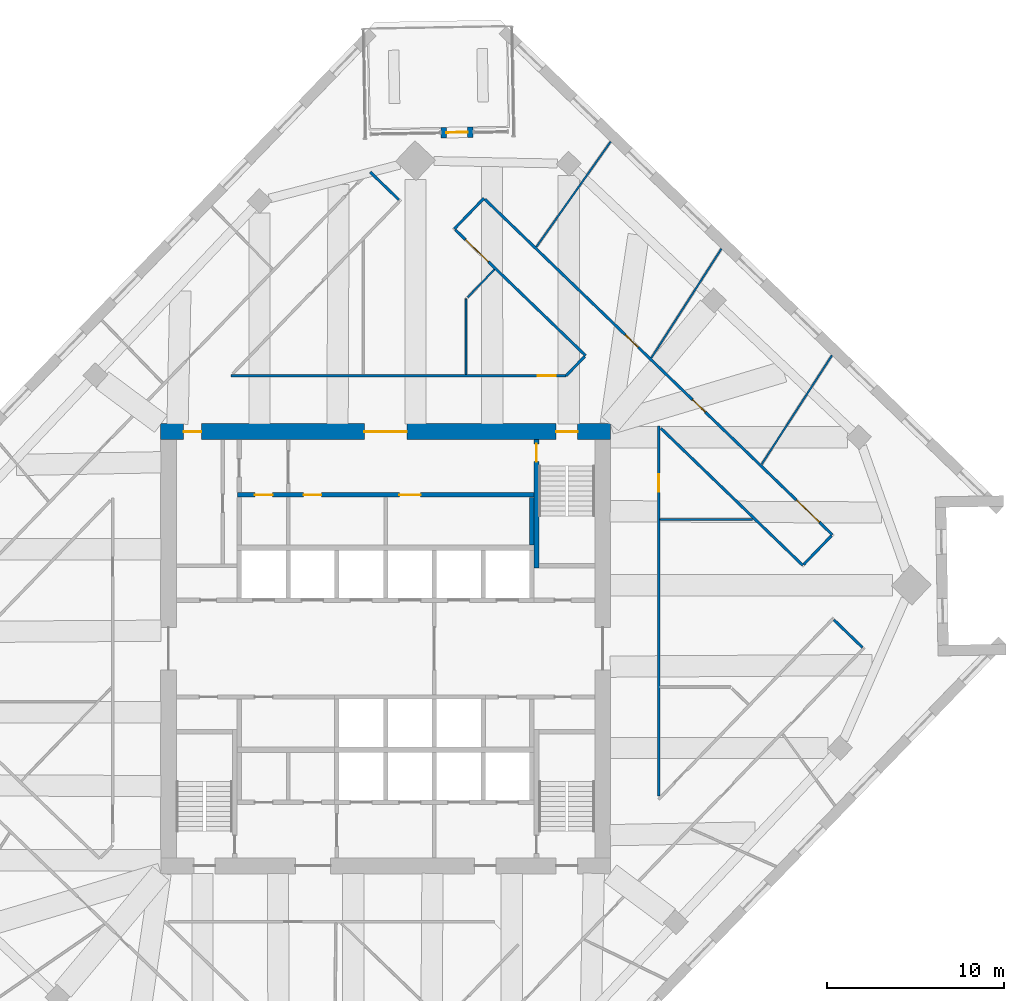
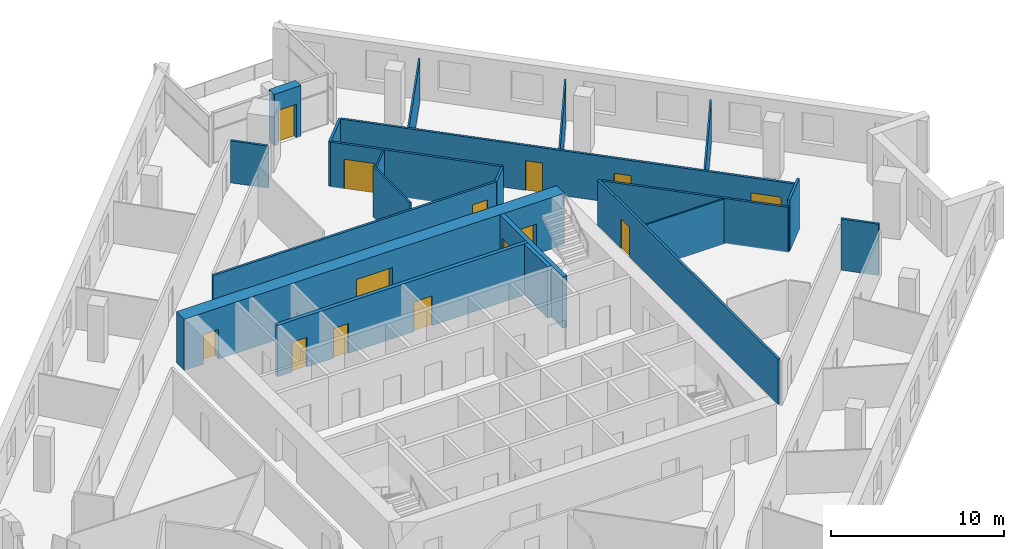
# One storey, part 10 of 13: 21 walls, 14 doors, 14 openings.
"""IFC4 building model written with IfcOpenShell, lengths in metres."""

from ifc_helpers import new_model, si_unit, direction, frame, frame_2d, origin, place, context, subcontext, project, spatial, rectangle, extrude, material, layer, layer_set, type_object, element, fill, save


model = new_model("IFC4")

# Units and contexts
model_context = context("Model", 3, precision=1e-05, world=origin(), true_north=direction((0.0, 1.0)))
body_context = subcontext(model_context, "Body", "Model", "MODEL_VIEW")
ifc_project = project(units=[si_unit("LENGTHUNIT", "METRE"), si_unit("AREAUNIT", "SQUARE_METRE"), si_unit("VOLUMEUNIT", "CUBIC_METRE"), si_unit("PLANEANGLEUNIT", "RADIAN"), si_unit("MASSUNIT", "GRAM", prefix="KILO")], contexts=[model_context])

# Site, building, storey
site_placement = place(None, origin())
site = spatial("IfcSite", under=ifc_project, at=site_placement, CompositionType="ELEMENT")
building_placement = place(site_placement, origin())
building = spatial("IfcBuilding", under=site, at=building_placement, Name="Dilmun Exchange Tower", CompositionType="ELEMENT")
storey_placement = place(building_placement, frame((0.0, 0.0, 209.300048828125)))
storey = spatial("IfcBuildingStorey", under=building, at=storey_placement, Name="L49", CompositionType="ELEMENT", Elevation=209.300048828125)

# Wall
ifc_material_1 = material(Name="Concrete C40/50", Category="concrete")
ifc_layer_1 = layer(ifc_material_1, 0.25)
ifc_layer_set_1 = layer_set([ifc_layer_1], Name="Concrete C40/50")
wall_type_1 = type_object("IfcWallType", Name="Core partition wall 250", PredefinedType="PARTITIONING", material=ifc_layer_set_1)
wall_1_placement = place(storey_placement, frame((8.25, 5.85498046875, 0.0), z_axis=(0.0, 0.0, 1.0), x_axis=(0.0, 1.0, 0.0)))
element("IfcWall", 1, at=wall_1_placement, inside=storey, type_object=wall_type_1, Name="L49 core partition wall 19", PredefinedType="PARTITIONING", context=body_context, shape_type="SweptSolid", body=[
    extrude(rectangle(XDim=2.68994140625, YDim=0.25, at=frame_2d((1.344970703125, 0.0))), origin(), (0.0, 0.0, 1.0), 3.619873046875),
])

# Wall, openings, doors
wall_2_placement = place(storey_placement, frame((-8.35009765625, 8.675048828125, 0.0), z_axis=(0.0, 0.0, 1.0), x_axis=(1.0, 0.0, 0.0)))
wall_2 = element("IfcWall", 2, at=wall_2_placement, inside=storey, type_object=wall_type_1, Name="L49 core partition wall 20", PredefinedType="PARTITIONING", context=body_context, shape_type="SweptSolid", body=[
    extrude(rectangle(XDim=16.72021484375, YDim=0.25, at=frame_2d((8.360107421875, 0.0))), origin(), (0.0, 0.0, 1.0), 3.619873046875),
])
opening_1_placement = place(wall_2_placement, frame((0.97509765625, 0.0, 0.0)))
opening_1 = element("IfcOpeningElement", 3, at=opening_1_placement, cuts=wall_2, Name="Opening CD4", PredefinedType="OPENING", context=body_context, shape_type="SweptSolid", body=[
    extrude(rectangle(XDim=1.0, YDim=2.10009765625, at=frame_2d((0.5, 1.050048828125))), frame((0.0, 0.135009765625, 0.0), z_axis=(0.0, -1.0, 0.0), x_axis=(1.0, 0.0, 0.0)), (0.0, 0.0, 1.0), 0.27001953125),
])
opening_2_placement = place(wall_2_placement, frame((3.72509765625, 0.0, 0.0)))
opening_2 = element("IfcOpeningElement", 4, at=opening_2_placement, cuts=wall_2, Name="Opening CD4", PredefinedType="OPENING", context=body_context, shape_type="SweptSolid", body=[
    extrude(rectangle(XDim=1.0, YDim=2.10009765625, at=frame_2d((0.5, 1.050048828125))), frame((0.0, 0.135009765625, 0.0), z_axis=(0.0, -1.0, 0.0), x_axis=(1.0, 0.0, 0.0)), (0.0, 0.0, 1.0), 0.27001953125),
])
opening_3_placement = place(wall_2_placement, frame((9.125, 0.0, 0.0)))
opening_3 = element("IfcOpeningElement", 5, at=opening_3_placement, cuts=wall_2, Name="Opening CD3", PredefinedType="OPENING", context=body_context, shape_type="SweptSolid", body=[
    extrude(rectangle(XDim=1.199951171875, YDim=2.10009765625, at=frame_2d((0.60009765625, 1.050048828125))), frame((0.0, 0.135009765625, 0.0), z_axis=(0.0, -1.0, 0.0), x_axis=(1.0, 0.0, 0.0)), (0.0, 0.0, 1.0), 0.27001953125),
])
ifc_material_2 = material(Name="Fire-rated steel door set", Category="steel")
door_type_1 = type_object("IfcDoorType", Name="Core room door 1000x2100", OperationType="SINGLE_SWING_LEFT", PredefinedType="DOOR", material=ifc_material_2)
door_1_placement = place(opening_1_placement, origin())
door_1 = element("IfcDoor", 6, at=door_1_placement, inside=storey, type_object=door_type_1, Name="L49 door Tenant store", OperationType="SINGLE_SWING_RIGHT", OverallHeight=2.10009765625, OverallWidth=1.0, PredefinedType="DOOR", context=body_context, shape_type="SweptSolid", body=[
    extrude(rectangle(XDim=1.0, YDim=2.10009765625, at=frame_2d((0.5, 1.050048828125))), frame((0.0, 0.02490234375, 0.0), z_axis=(0.0, -1.0, 0.0), x_axis=(1.0, 0.0, 0.0)), (0.0, 0.0, 1.0), 0.050048828125),
])
fill(opening_1, door_1)
door_2_placement = place(opening_2_placement, origin())
door_2 = element("IfcDoor", 7, at=door_2_placement, inside=storey, type_object=door_type_1, Name="L49 door Archive store", OperationType="SINGLE_SWING_RIGHT", OverallHeight=2.10009765625, OverallWidth=1.0, PredefinedType="DOOR", context=body_context, shape_type="SweptSolid", body=[
    extrude(rectangle(XDim=1.0, YDim=2.10009765625, at=frame_2d((0.5, 1.050048828125))), frame((0.0, 0.02490234375, 0.0), z_axis=(0.0, -1.0, 0.0), x_axis=(1.0, 0.0, 0.0)), (0.0, 0.0, 1.0), 0.050048828125),
])
fill(opening_2, door_2)
door_type_2 = type_object("IfcDoorType", Name="Stair exit door 1200x2100", OperationType="SINGLE_SWING_LEFT", PredefinedType="DOOR", material=ifc_material_2)
door_3_placement = place(opening_3_placement, origin())
door_3 = element("IfcDoor", 8, at=door_3_placement, inside=storey, type_object=door_type_2, Name="L49 door Facilities workshop", OperationType="SINGLE_SWING_LEFT", OverallHeight=2.10009765625, OverallWidth=1.199951171875, PredefinedType="DOOR", context=body_context, shape_type="SweptSolid", body=[
    extrude(rectangle(XDim=1.199951171875, YDim=2.10009765625, at=frame_2d((0.60009765625, 1.050048828125))), frame((0.0, 0.02490234375, 0.0), z_axis=(0.0, -1.0, 0.0), x_axis=(1.0, 0.0, 0.0)), (0.0, 0.0, 1.0), 0.050048828125),
])
fill(opening_3, door_3)

ifc_material_3 = material(Name="Concrete C60/75", Category="concrete")
ifc_layer_2 = layer(ifc_material_3, 0.89990234375)
ifc_layer_set_2 = layer_set([ifc_layer_2], Name="Concrete C60/75")
wall_type_2 = type_object("IfcWallType", Name="Core shear wall 900 Concrete C60/75", PredefinedType="SHEAR", material=ifc_layer_set_2)
wall_3_placement = place(storey_placement, frame((-12.699951171875, 12.25, 0.0), z_axis=(0.0, 0.0, 1.0), x_axis=(1.0, 0.0, 0.0)))
wall_3 = element("IfcWall", 9, at=wall_3_placement, inside=storey, type_object=wall_type_2, Name="L49 core shear wall N", PredefinedType="SHEAR", context=body_context, shape_type="SweptSolid", body=[
    extrude(rectangle(XDim=25.39990234375, YDim=0.89990234375, at=frame_2d((12.699951171875, 0.0))), origin(), (0.0, 0.0, 1.0), 3.619873046875),
])
opening_4_placement = place(wall_3_placement, frame((11.5, 0.0, 0.0)))
opening_4 = element("IfcOpeningElement", 10, at=opening_4_placement, cuts=wall_3, Name="Opening CD1", PredefinedType="OPENING", context=body_context, shape_type="SweptSolid", body=[
    extrude(rectangle(XDim=2.39990234375, YDim=2.39990234375, at=frame_2d((1.199951171875, 1.199951171875))), frame((0.0, 0.4599609375, 0.0), z_axis=(0.0, -1.0, 0.0), x_axis=(1.0, 0.0, 0.0)), (0.0, 0.0, 1.0), 0.919921875),
])
opening_5_placement = place(wall_3_placement, frame((22.324951171875, 0.0, 0.0)))
opening_5 = element("IfcOpeningElement", 11, at=opening_5_placement, cuts=wall_3, Name="Opening CD3", PredefinedType="OPENING", context=body_context, shape_type="SweptSolid", body=[
    extrude(rectangle(XDim=1.199951171875, YDim=2.10009765625, at=frame_2d((0.60009765625, 1.050048828125))), frame((0.0, 0.4599609375, 0.0), z_axis=(0.0, -1.0, 0.0), x_axis=(1.0, 0.0, 0.0)), (0.0, 0.0, 1.0), 0.919921875),
])
opening_6_placement = place(wall_3_placement, frame((1.300048828125, 0.0, 0.0)))
opening_6 = element("IfcOpeningElement", 12, at=opening_6_placement, cuts=wall_3, Name="Opening CD4", PredefinedType="OPENING", context=body_context, shape_type="SweptSolid", body=[
    extrude(rectangle(XDim=1.0, YDim=2.10009765625, at=frame_2d((0.5, 1.050048828125))), frame((0.0, 0.4599609375, 0.0), z_axis=(0.0, -1.0, 0.0), x_axis=(1.0, 0.0, 0.0)), (0.0, 0.0, 1.0), 0.919921875),
])
door_type_3 = type_object("IfcDoorType", Name="Core lobby door 2400x2400", OperationType="DOUBLE_DOOR_DOUBLE_SWING", PredefinedType="DOOR", material=ifc_material_2)
door_4_placement = place(opening_4_placement, origin())
door_4 = element("IfcDoor", 13, at=door_4_placement, inside=storey, type_object=door_type_3, Name="L49 door North lift lobby", OperationType="SINGLE_SWING_LEFT", OverallHeight=2.39990234375, OverallWidth=2.39990234375, PredefinedType="DOOR", context=body_context, shape_type="SweptSolid", body=[
    extrude(rectangle(XDim=2.39990234375, YDim=2.39990234375, at=frame_2d((1.199951171875, 1.199951171875))), frame((0.0, 0.02490234375, 0.0), z_axis=(0.0, -1.0, 0.0), x_axis=(1.0, 0.0, 0.0)), (0.0, 0.0, 1.0), 0.050048828125),
])
fill(opening_4, door_4)
door_5_placement = place(opening_6_placement, origin())
door_5 = element("IfcDoor", 14, at=door_5_placement, inside=storey, type_object=door_type_1, Name="L49 door North-west core rooms", OperationType="SINGLE_SWING_LEFT", OverallHeight=2.10009765625, OverallWidth=1.0, PredefinedType="DOOR", context=body_context, shape_type="SweptSolid", body=[
    extrude(rectangle(XDim=1.0, YDim=2.10009765625, at=frame_2d((0.5, 1.050048828125))), frame((0.0, 0.02490234375, 0.0), z_axis=(0.0, -1.0, 0.0), x_axis=(1.0, 0.0, 0.0)), (0.0, 0.0, 1.0), 0.050048828125),
])
fill(opening_6, door_5)
door_6_placement = place(opening_5_placement, origin())
door_6 = element("IfcDoor", 15, at=door_6_placement, inside=storey, type_object=door_type_2, Name="L49 door Stair ST1", OperationType="SINGLE_SWING_LEFT", OverallHeight=2.10009765625, OverallWidth=1.199951171875, PredefinedType="DOOR", context=body_context, shape_type="SweptSolid", body=[
    extrude(rectangle(XDim=1.199951171875, YDim=2.10009765625, at=frame_2d((0.60009765625, 1.050048828125))), frame((0.0, 0.02490234375, 0.0), z_axis=(0.0, -1.0, 0.0), x_axis=(1.0, 0.0, 0.0)), (0.0, 0.0, 1.0), 0.050048828125),
])
fill(opening_5, door_6)

# Wall, opening, door
ifc_material_4 = material(Name="Corridor wall 150")
ifc_layer_3 = layer(ifc_material_4, 0.14990234375)
ifc_layer_set_3 = layer_set([ifc_layer_3], Name="Corridor wall 150")
wall_type_3 = type_object("IfcWallType", Name="Corridor wall 150", PredefinedType="PARTITIONING", material=ifc_layer_set_3)
wall_4_placement = place(storey_placement, frame((-8.737060546875, 15.39990234375, 0.0), z_axis=(0.0, 0.0, 1.0), x_axis=(1.0, 0.0, 0.0)))
wall_4 = element("IfcWall", 16, at=wall_4_placement, inside=storey, type_object=wall_type_3, Name="Corridor wall", PredefinedType="PARTITIONING", context=body_context, shape_type="SweptSolid", body=[
    extrude(rectangle(XDim=18.916015625, YDim=0.14990234375, at=frame_2d((9.4580078125, 0.0))), origin(), (0.0, 0.0, 1.0), 3.169921875),
])
opening_7_placement = place(wall_4_placement, frame((17.3212890625, 0.0, 0.0)))
opening_7 = element("IfcOpeningElement", 17, at=opening_7_placement, cuts=wall_4, Name="Opening TF48-D15", PredefinedType="OPENING", context=body_context, shape_type="SweptSolid", body=[
    extrude(rectangle(XDim=1.0, YDim=2.10009765625, at=frame_2d((0.5, 1.050048828125))), frame((0.0, 0.0849609375, 0.0), z_axis=(0.0, -1.0, 0.0), x_axis=(1.0, 0.0, 0.0)), (0.0, 0.0, 1.0), 0.169921875),
])
ifc_material_5 = material(Name="Fire door 1000 x 2100")
door_type_4 = type_object("IfcDoorType", Name="Fire door 1000 x 2100", OperationType="NOTDEFINED", PredefinedType="DOOR", material=ifc_material_5)
door_7_placement = place(opening_7_placement, origin())
door_7 = element("IfcDoor", 18, at=door_7_placement, inside=storey, type_object=door_type_4, Name="Door TF48-D15", OperationType="SINGLE_SWING_LEFT", OverallHeight=2.10009765625, OverallWidth=1.0, PredefinedType="DOOR", context=body_context, shape_type="SweptSolid", body=[
    extrude(rectangle(XDim=1.0, YDim=2.10009765625, at=frame_2d((0.5, 1.050048828125))), frame((0.0, 0.02490234375, 0.0), z_axis=(0.0, -1.0, 0.0), x_axis=(1.0, 0.0, 0.0)), (0.0, 0.0, 1.0), 0.050048828125),
])
fill(opening_7, door_7)

# Walls
wall_5_placement = place(storey_placement, frame((-0.87109375, 26.891845703125, 0.0), z_axis=(0.0, 0.0, 1.0), x_axis=(0.719526700113, -0.694464777959, 0.0)))
element("IfcWall", 19, at=wall_5_placement, inside=storey, type_object=wall_type_3, Name="Corridor wall", PredefinedType="PARTITIONING", context=body_context, shape_type="SweptSolid", body=[
    extrude(rectangle(XDim=2.250244140625, YDim=0.14990234375, at=frame_2d((1.125, 0.0))), origin(), (0.0, 0.0, 1.0), 2.969970703125),
])
wall_6_placement = place(storey_placement, frame((3.8759765625, 23.68798828125, 0.0), z_axis=(0.0, 0.0, 1.0), x_axis=(0.694688923552, 0.719310294305, 0.0)))
element("IfcWall", 20, at=wall_6_placement, inside=storey, type_object=wall_type_3, Name="Corridor wall", PredefinedType="PARTITIONING", context=body_context, shape_type="SweptSolid", body=[
    extrude(rectangle(XDim=2.399658203125, YDim=0.14990234375, at=frame_2d((1.19970703125, 0.0))), origin(), (0.0, 0.0, 1.0), 3.169921875),
])

# Wall, opening, door
wall_7_placement = place(storey_placement, frame((3.929931640625, 23.635986328125, 0.0), z_axis=(0.0, 0.0, 1.0), x_axis=(0.719341752701, -0.694656348723, 0.0)))
wall_7 = element("IfcWall", 21, at=wall_7_placement, inside=storey, type_object=wall_type_3, Name="Corridor wall", PredefinedType="PARTITIONING", context=body_context, shape_type="SweptSolid", body=[
    extrude(rectangle(XDim=10.216552734375, YDim=0.14990234375, at=frame_2d((5.1083984375, 0.0))), origin(), (0.0, 0.0, 1.0), 3.169921875),
])
opening_8_placement = place(wall_7_placement, frame((0.800048828125, 0.0, 0.0)))
opening_8 = element("IfcOpeningElement", 22, at=opening_8_placement, cuts=wall_7, Name="Opening TF48-D11", PredefinedType="OPENING", context=body_context, shape_type="SweptSolid", body=[
    extrude(rectangle(XDim=1.800048828125, YDim=2.10009765625, at=frame_2d((0.89990234375, 1.050048828125))), frame((0.0, 0.0849609375, 0.0), z_axis=(0.0, -1.0, 0.0), x_axis=(1.0, 0.0, 0.0)), (0.0, 0.0, 1.0), 0.169921875),
])
ifc_material_6 = material(Name="Fire door pair 1800 x 2100")
door_type_5 = type_object("IfcDoorType", Name="Fire door pair 1800 x 2100", OperationType="NOTDEFINED", PredefinedType="DOOR", material=ifc_material_6)
door_8_placement = place(opening_8_placement, frame((1.800048828125, 0.0, 0.0), z_axis=(0.0, 0.0, 1.0), x_axis=(-1.0, 0.0, 0.0)))
door_8 = element("IfcDoor", 23, at=door_8_placement, inside=storey, type_object=door_type_5, Name="Door TF48-D11", OperationType="DOUBLE_DOOR_SINGLE_SWING", OverallHeight=2.10009765625, OverallWidth=1.800048828125, PredefinedType="DOOR", context=body_context, shape_type="SweptSolid", body=[
    extrude(rectangle(XDim=1.800048828125, YDim=2.10009765625, at=frame_2d((0.89990234375, 1.050048828125))), frame((0.0, 0.02490234375, 0.0), z_axis=(0.0, -1.0, 0.0), x_axis=(1.0, 0.0, 0.0)), (0.0, 0.0, 1.0), 0.050048828125),
])
fill(opening_8, door_8)

# Wall, openings, doors
wall_8_placement = place(storey_placement, frame((5.596923828125, 25.36181640625, 0.0), z_axis=(0.0, 0.0, 1.0), x_axis=(0.719350067003, -0.69464773886, 0.0)))
wall_8 = element("IfcWall", 24, at=wall_8_placement, inside=storey, type_object=wall_type_3, Name="Corridor wall", PredefinedType="PARTITIONING", context=body_context, shape_type="SweptSolid", body=[
    extrude(rectangle(XDim=27.258056640625, YDim=0.14990234375, at=frame_2d((13.62890625, 0.0))), origin(), (0.0, 0.0, 1.0), 3.169921875),
])
opening_9_placement = place(wall_8_placement, frame((11.01708984375, 0.0, 0.0)))
opening_9 = element("IfcOpeningElement", 25, at=opening_9_placement, cuts=wall_8, Name="Opening TF48-D17", PredefinedType="OPENING", context=body_context, shape_type="SweptSolid", body=[
    extrude(rectangle(XDim=1.0, YDim=2.10009765625, at=frame_2d((0.5, 1.050048828125))), frame((0.0, 0.0849609375, 0.0), z_axis=(0.0, -1.0, 0.0), x_axis=(1.0, 0.0, 0.0)), (0.0, 0.0, 1.0), 0.169921875),
])
opening_10_placement = place(wall_8_placement, frame((16.287109375, 0.0, 0.0)))
opening_10 = element("IfcOpeningElement", 26, at=opening_10_placement, cuts=wall_8, Name="Opening TF48-D21", PredefinedType="OPENING", context=body_context, shape_type="SweptSolid", body=[
    extrude(rectangle(XDim=1.0, YDim=2.10009765625, at=frame_2d((0.5, 1.050048828125))), frame((0.0, 0.0849609375, 0.0), z_axis=(0.0, -1.0, 0.0), x_axis=(1.0, 0.0, 0.0)), (0.0, 0.0, 1.0), 0.169921875),
])
opening_11_placement = place(wall_8_placement, frame((24.435302734375, 0.0, 0.0)))
opening_11 = element("IfcOpeningElement", 27, at=opening_11_placement, cuts=wall_8, Name="Opening TF48-D23", PredefinedType="OPENING", context=body_context, shape_type="SweptSolid", body=[
    extrude(rectangle(XDim=1.800048828125, YDim=2.10009765625, at=frame_2d((0.89990234375, 1.050048828125))), frame((0.0, 0.0849609375, 0.0), z_axis=(0.0, -1.0, 0.0), x_axis=(1.0, 0.0, 0.0)), (0.0, 0.0, 1.0), 0.169921875),
])
door_9_placement = place(opening_9_placement, origin())
door_9 = element("IfcDoor", 28, at=door_9_placement, inside=storey, type_object=door_type_4, Name="Door TF48-D17", OperationType="SINGLE_SWING_LEFT", OverallHeight=2.10009765625, OverallWidth=1.0, PredefinedType="DOOR", context=body_context, shape_type="SweptSolid", body=[
    extrude(rectangle(XDim=1.0, YDim=2.10009765625, at=frame_2d((0.5, 1.050048828125))), frame((0.0, 0.02490234375, 0.0), z_axis=(0.0, -1.0, 0.0), x_axis=(1.0, 0.0, 0.0)), (0.0, 0.0, 1.0), 0.050048828125),
])
fill(opening_9, door_9)
door_10_placement = place(opening_10_placement, origin())
door_10 = element("IfcDoor", 29, at=door_10_placement, inside=storey, type_object=door_type_4, Name="Door TF48-D21", OperationType="SINGLE_SWING_LEFT", OverallHeight=2.10009765625, OverallWidth=1.0, PredefinedType="DOOR", context=body_context, shape_type="SweptSolid", body=[
    extrude(rectangle(XDim=1.0, YDim=2.10009765625, at=frame_2d((0.5, 1.050048828125))), frame((0.0, 0.02490234375, 0.0), z_axis=(0.0, -1.0, 0.0), x_axis=(1.0, 0.0, 0.0)), (0.0, 0.0, 1.0), 0.050048828125),
])
fill(opening_10, door_10)
door_11_placement = place(opening_11_placement, origin())
door_11 = element("IfcDoor", 30, at=door_11_placement, inside=storey, type_object=door_type_5, Name="Door TF48-D23", OperationType="DOUBLE_DOOR_SINGLE_SWING", OverallHeight=2.10009765625, OverallWidth=1.800048828125, PredefinedType="DOOR", context=body_context, shape_type="SweptSolid", body=[
    extrude(rectangle(XDim=1.800048828125, YDim=2.10009765625, at=frame_2d((0.89990234375, 1.050048828125))), frame((0.0, 0.02490234375, 0.0), z_axis=(0.0, -1.0, 0.0), x_axis=(1.0, 0.0, 0.0)), (0.0, 0.0, 1.0), 0.050048828125),
])
fill(opening_11, door_11)

# Wall
wall_9_placement = place(storey_placement, frame((10.179931640625, 15.39990234375, 0.0), z_axis=(0.0, 0.0, 1.0), x_axis=(0.694282379976, 0.719702700325, 0.0)))
element("IfcWall", 31, at=wall_9_placement, inside=storey, type_object=wall_type_3, Name="Corridor wall", PredefinedType="PARTITIONING", context=body_context, shape_type="SweptSolid", body=[
    extrude(rectangle(XDim=1.5078125, YDim=0.14990234375, at=frame_2d((0.75390625, 0.0))), origin(), (0.0, 0.0, 1.0), 3.169921875),
])

# Wall, opening, door
wall_10_placement = place(storey_placement, frame((15.39990234375, -8.314453125, 0.0), z_axis=(0.0, 0.0, 1.0), x_axis=(0.0, 1.0, 0.0)))
wall_10 = element("IfcWall", 32, at=wall_10_placement, inside=storey, type_object=wall_type_3, Name="Corridor wall", PredefinedType="PARTITIONING", context=body_context, shape_type="SweptSolid", body=[
    extrude(rectangle(XDim=20.87353515625, YDim=0.14990234375, at=frame_2d((10.436767578125, 0.0))), origin(), (0.0, 0.0, 1.0), 3.169921875),
])
opening_12_placement = place(wall_10_placement, frame((17.15771484375, 0.0, 0.0)))
opening_12 = element("IfcOpeningElement", 33, at=opening_12_placement, cuts=wall_10, Name="Opening TF48-D19", PredefinedType="OPENING", context=body_context, shape_type="SweptSolid", body=[
    extrude(rectangle(XDim=1.0, YDim=2.10009765625, at=frame_2d((0.5, 1.050048828125))), frame((0.0, 0.0849609375, 0.0), z_axis=(0.0, -1.0, 0.0), x_axis=(1.0, 0.0, 0.0)), (0.0, 0.0, 1.0), 0.169921875),
])
door_12_placement = place(opening_12_placement, frame((1.0, 0.0, 0.0), z_axis=(0.0, 0.0, 1.0), x_axis=(-1.0, 0.0, 0.0)))
door_12 = element("IfcDoor", 34, at=door_12_placement, inside=storey, type_object=door_type_4, Name="Door TF48-D19", OperationType="SINGLE_SWING_RIGHT", OverallHeight=2.10009765625, OverallWidth=1.0, PredefinedType="DOOR", context=body_context, shape_type="SweptSolid", body=[
    extrude(rectangle(XDim=1.0, YDim=2.10009765625, at=frame_2d((0.5, 1.050048828125))), frame((0.0, 0.02490234375, 0.0), z_axis=(0.0, -1.0, 0.0), x_axis=(1.0, 0.0, 0.0)), (0.0, 0.0, 1.0), 0.050048828125),
])
fill(opening_12, door_12)

# Walls
wall_11_placement = place(storey_placement, frame((15.527099609375, 12.436279296875, 0.0), z_axis=(0.0, 0.0, 1.0), x_axis=(0.719374261493, -0.694622683118, 0.0)))
element("IfcWall", 35, at=wall_11_placement, inside=storey, type_object=wall_type_3, Name="Corridor wall", PredefinedType="PARTITIONING", context=body_context, shape_type="SweptSolid", body=[
    extrude(rectangle(XDim=11.135986328125, YDim=0.14990234375, at=frame_2d((5.56787109375, 0.0))), origin(), (0.0, 0.0, 1.0), 3.169921875),
])
for number, where, z_axis, x_axis, name in (
    (36, (23.590087890625, 4.7548828125, 0.0), (0.0, 0.0, 1.0), (0.694681664174, 0.719317305131, 0.0), "Corridor wall"),
    (37, (25.287841796875, 1.630859375, 0.0), (0.0, 0.0, 1.0), (0.719317305131, -0.694681664174, 0.0), "Corridor wall"),
):
    element("IfcWall", number, at=place(storey_placement, frame(where, z_axis=z_axis, x_axis=x_axis)), inside=storey, type_object=wall_type_3, Name=name, PredefinedType="PARTITIONING", context=body_context, shape_type="SweptSolid", body=[
        extrude(rectangle(XDim=2.24951171875, YDim=0.14990234375, at=frame_2d((1.124755859375, 0.0))), origin(), (0.0, 0.0, 1.0), 3.619873046875),
    ])
ifc_material_7 = material(Name="Partition 100")
ifc_layer_4 = layer(ifc_material_7, 0.10009765625)
ifc_layer_set_4 = layer_set([ifc_layer_4], Name="Partition 100")
wall_type_4 = type_object("IfcWallType", Name="Partition 100", PredefinedType="PARTITIONING", material=ifc_layer_set_4)
wall_12_placement = place(storey_placement, frame((4.533935546875, 15.47509765625, 0.0), z_axis=(0.0, 0.0, 1.0), x_axis=(0.0, 1.0, 0.0)))
element("IfcWall", 38, at=wall_12_placement, inside=storey, type_object=wall_type_4, Name="Partition", PredefinedType="PARTITIONING", context=body_context, shape_type="SweptSolid", body=[
    extrude(rectangle(XDim=4.2568359375, YDim=0.10009765625, at=frame_2d((2.12841796875, 0.0))), origin(), (0.0, 0.0, 1.0), 3.619873046875),
])
wall_13_placement = place(storey_placement, frame((4.6201171875, 19.821044921875, 0.0), z_axis=(0.0, 0.0, 1.0), x_axis=(0.694620384486, 0.719376481028, 0.0)))
element("IfcWall", 39, at=wall_13_placement, inside=storey, type_object=wall_type_4, Name="Partition", PredefinedType="PARTITIONING", context=body_context, shape_type="SweptSolid", body=[
    extrude(rectangle(XDim=2.189208984375, YDim=0.10009765625, at=frame_2d((1.0947265625, 0.0))), origin(), (0.0, 0.0, 1.0), 3.169921875),
])
wall_14_placement = place(storey_placement, frame((8.503173828125, 22.67041015625, 0.0), z_axis=(0.0, 0.0, 1.0), x_axis=(0.576640998349, 0.816997649338, 0.0)))
element("IfcWall", 40, at=wall_14_placement, inside=storey, type_object=wall_type_4, Name="Partition", PredefinedType="PARTITIONING", context=body_context, shape_type="SweptSolid", body=[
    extrude(rectangle(XDim=7.2685546875, YDim=0.10009765625, at=frame_2d((3.63427734375, 0.0))), origin(), (0.0, 0.0, 1.0), 2.969970703125),
])
wall_15_placement = place(storey_placement, frame((14.99169921875, 16.40771484375, 0.0), z_axis=(0.0, 0.0, 1.0), x_axis=(0.54025368273, 0.841502203382, 0.0)))
element("IfcWall", 41, at=wall_15_placement, inside=storey, type_object=wall_type_4, Name="Partition", PredefinedType="PARTITIONING", context=body_context, shape_type="SweptSolid", body=[
    extrude(rectangle(XDim=7.322998046875, YDim=0.10009765625, at=frame_2d((3.66162109375, 0.0))), origin(), (0.0, 0.0, 1.0), 2.969970703125),
])
wall_16_placement = place(storey_placement, frame((15.47509765625, 7.29296875, 0.0), z_axis=(0.0, 0.0, 1.0), x_axis=(1.0, 0.0, 0.0)))
element("IfcWall", 42, at=wall_16_placement, inside=storey, type_object=wall_type_4, Name="Partition", PredefinedType="PARTITIONING", context=body_context, shape_type="SweptSolid", body=[
    extrude(rectangle(XDim=5.218017578125, YDim=0.10009765625, at=frame_2d((2.60888671875, 0.0))), origin(), (0.0, 0.0, 1.0), 3.169921875),
])
wall_17_placement = place(storey_placement, frame((21.212890625, 10.400390625, 0.0), z_axis=(0.0, 0.0, 1.0), x_axis=(0.542191446755, 0.840254982172, 0.0)))
element("IfcWall", 43, at=wall_17_placement, inside=storey, type_object=wall_type_4, Name="Partition", PredefinedType="PARTITIONING", context=body_context, shape_type="SweptSolid", body=[
    extrude(rectangle(XDim=7.3193359375, YDim=0.10009765625, at=frame_2d((3.65966796875, 0.0))), origin(), (0.0, 0.0, 1.0), 2.969970703125),
])

# Wall, opening, door
ifc_material_8 = material(Name="Precast concrete C50/60", Category="concrete")
ifc_layer_5 = layer(ifc_material_8, 0.60009765625)
ifc_layer_set_5 = layer_set([ifc_layer_5], Name="Precast concrete C50/60")
wall_type_5 = type_object("IfcWallType", Name="Precast stone-clad wall 600", PredefinedType="STANDARD", material=ifc_layer_set_5)
wall_18_placement = place(storey_placement, frame((4.927490234375, 29.145751953125, 0.0), z_axis=(0.0, 0.0, 1.0), x_axis=(-0.99984925639, -0.017362732983, 0.0)))
wall_18 = element("IfcWall", 44, at=wall_18_placement, inside=storey, type_object=wall_type_5, Name="Facade wall L49-01-D", PredefinedType="STANDARD", context=body_context, shape_type="SweptSolid", body=[
    extrude(rectangle(XDim=1.7998046875, YDim=0.60009765625, at=frame_2d((0.89990234375, 0.0))), origin(), (0.0, 0.0, 1.0), 3.619873046875),
])
opening_13_placement = place(wall_18_placement, frame((0.300048828125, 0.0, 0.0)))
opening_13 = element("IfcOpeningElement", 45, at=opening_13_placement, cuts=wall_18, Name="Opening GD-1", PredefinedType="OPENING", context=body_context, shape_type="SweptSolid", body=[
    extrude(rectangle(XDim=1.199951171875, YDim=2.39990234375, at=frame_2d((0.60009765625, 1.199951171875))), frame((0.0, 0.31005859375, 0.0), z_axis=(0.0, -1.0, 0.0), x_axis=(1.0, 0.0, 0.0)), (0.0, 0.0, 1.0), 0.6201171875),
])
ifc_material_9 = material(Name="Clear low-emissivity glass in aluminium frame", Category="aluminium")
door_type_6 = type_object("IfcDoorType", Name="Glazed garden door 1200 x 2400", OperationType="SINGLE_SWING_LEFT", PredefinedType="DOOR", material=ifc_material_9)
door_13_placement = place(opening_13_placement, origin())
door_13 = element("IfcDoor", 46, at=door_13_placement, inside=storey, type_object=door_type_6, Name="Garden terrace door", OperationType="SINGLE_SWING_LEFT", OverallHeight=2.39990234375, OverallWidth=1.199951171875, PredefinedType="DOOR", context=body_context, shape_type="SweptSolid", body=[
    extrude(rectangle(XDim=1.199951171875, YDim=2.39990234375, at=frame_2d((0.60009765625, 1.199951171875))), frame((0.0, 0.02490234375, 0.0), z_axis=(0.0, -1.0, 0.0), x_axis=(1.0, 0.0, 0.0)), (0.0, 0.0, 1.0), 0.050048828125),
])
fill(opening_13, door_13)

ifc_layer_6 = layer(ifc_material_1, 0.27490234375)
ifc_layer_set_6 = layer_set([ifc_layer_6], Name="Concrete C40/50")
wall_type_6 = type_object("IfcWallType", Name="Stair wall 275", PredefinedType="SOLIDWALL", material=ifc_layer_set_6)
wall_19_placement = place(storey_placement, frame((8.512451171875, 4.550048828125, 0.0), z_axis=(0.0, 0.0, 1.0), x_axis=(0.0, 1.0, 0.0)))
wall_19 = element("IfcWall", 47, at=wall_19_placement, inside=storey, type_object=wall_type_6, Name="L49 ST1 wall to lift block", PredefinedType="SOLIDWALL", context=body_context, shape_type="SweptSolid", body=[
    extrude(rectangle(XDim=7.25, YDim=0.27490234375, at=frame_2d((3.625, 0.0))), origin(), (0.0, 0.0, 1.0), 3.619873046875),
])
opening_14_placement = place(wall_19_placement, frame((6.0, 0.0, 0.0)))
opening_14 = element("IfcOpeningElement", 48, at=opening_14_placement, cuts=wall_19, Name="Opening CD4", PredefinedType="OPENING", context=body_context, shape_type="SweptSolid", body=[
    extrude(rectangle(XDim=1.0, YDim=2.10009765625, at=frame_2d((0.5, 1.050048828125))), frame((0.0, 0.1474609375, 0.0), z_axis=(0.0, -1.0, 0.0), x_axis=(1.0, 0.0, 0.0)), (0.0, 0.0, 1.0), 0.294921875),
])
door_14_placement = place(opening_14_placement, origin())
door_14 = element("IfcDoor", 49, at=door_14_placement, inside=storey, type_object=door_type_1, Name="L49 door ST1 from lobby", OperationType="SINGLE_SWING_LEFT", OverallHeight=2.10009765625, OverallWidth=1.0, PredefinedType="DOOR", context=body_context, shape_type="SweptSolid", body=[
    extrude(rectangle(XDim=1.0, YDim=2.10009765625, at=frame_2d((0.5, 1.050048828125))), frame((0.0, 0.02490234375, 0.0), z_axis=(0.0, -1.0, 0.0), x_axis=(1.0, 0.0, 0.0)), (0.0, 0.0, 1.0), 0.050048828125),
])
fill(opening_14, door_14)

save(model, "model.ifc")
